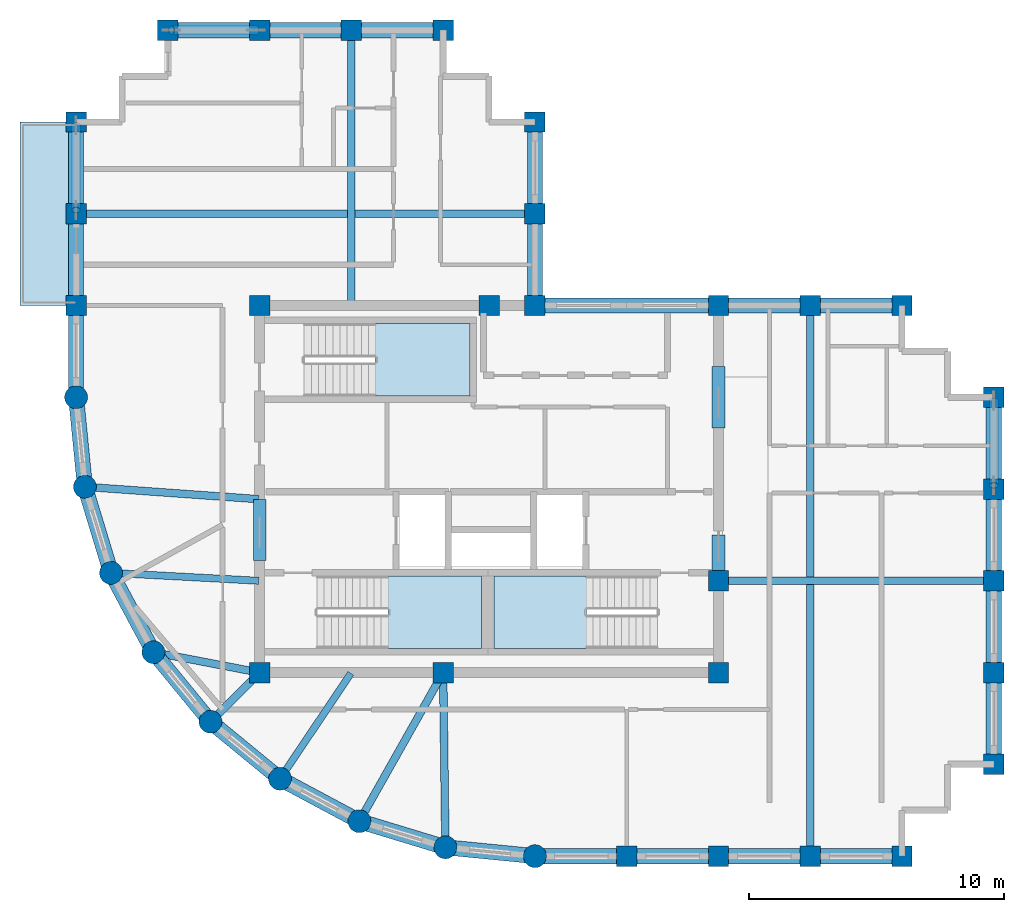
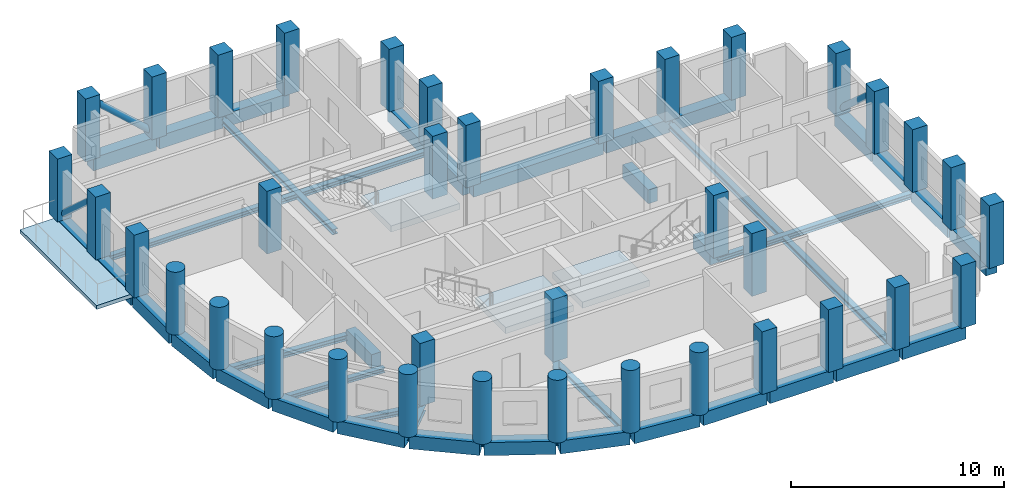
# One storey, part 1 of 6: 41 beams, 37 columns, 4 slabs, 3 members, 3 elements without a shape of their own.
"""IFC4 building model written with IfcOpenShell, lengths in metres."""

from ifc_helpers import new_model, si_unit, direction, frame, origin, origin_2d, place, context, subcontext, project, spatial, polyline, rectangle, circle, hollow_circle, i_section, outline, extrude, material, layer, layer_set, material_profile, profile_set, type_object, element, aggregate, save


model = new_model("IFC4")

# Units and contexts
model_context = context("Model", 3, precision=1e-05, world=origin(), true_north=direction((0.0, 1.0)))
body_context = subcontext(model_context, "Body", "Model", "MODEL_VIEW")
ifc_project = project(units=[si_unit("LENGTHUNIT", "METRE"), si_unit("AREAUNIT", "SQUARE_METRE"), si_unit("VOLUMEUNIT", "CUBIC_METRE"), si_unit("PLANEANGLEUNIT", "RADIAN"), si_unit("MASSUNIT", "GRAM", prefix="KILO")], contexts=[model_context])

# Site, building, storey
site_placement = place(None, origin())
site = spatial("IfcSite", under=ifc_project, at=site_placement, CompositionType="ELEMENT")
building_placement = place(site_placement, origin())
building = spatial("IfcBuilding", under=site, at=building_placement, Name="Solnavia Interchange Tower", CompositionType="ELEMENT")
storey_placement = place(building_placement, frame((0.0, 0.0, 270.199951171875)))
storey = spatial("IfcBuildingStorey", under=building, at=storey_placement, Name="L68", CompositionType="ELEMENT", Elevation=270.199951171875)

# Columns
ifc_material_1 = material(Name="Concrete C50/60", Category="concrete")
ifc_material_profile_1 = material_profile(ifc_material_1, rectangle(XDim=0.800048828125, YDim=0.800048828125, at=origin_2d()), Name="RC 800x800")
ifc_profile_set_1 = profile_set([ifc_material_profile_1], Name="Concrete C50/60")
column_type_1 = type_object("IfcColumnType", Name="Col-RC-800x800", PredefinedType="COLUMN", material=ifc_profile_set_1)
for number, where, z_axis, x_axis, name in (
    (1, (7.199951171875, 25.199951171875, 0.0), (0.0, 0.0, 1.0), (0.0, 1.0, 0.0), "COL-L68-02 Tower perim y column"),
    (2, (7.199951171875, 28.800048828125, 0.0), (0.0, 0.0, 1.0), (0.0, 1.0, 0.0), "COL-L68-03 Tower perim y column"),
    (3, (7.199951171875, 32.39990234375, 0.0), (0.0, 0.0, 1.0), (0.0, 1.0, 0.0), "COL-L68-04 Tower corner column"),
    (4, (10.800048828125, 36.0, 0.0), (0.0, 0.0, 1.0), (1.0, 0.0, 0.0), "COL-L68-08 Tower corner column"),
    (5, (14.39990234375, 10.800048828125, 0.0), (0.0, 0.0, 1.0), (1.0, 0.0, 0.0), "COL-L68-10 Tower interior column"),
    (6, (14.39990234375, 25.199951171875, 0.0), (0.0, 0.0, 1.0), (1.0, 0.0, 0.0), "COL-L68-11 Tower interior column"),
    (7, (14.39990234375, 36.0, 0.0), (0.0, 0.0, 1.0), (1.0, 0.0, 0.0), "COL-L68-12 Tower perim x column"),
    (8, (18.0, 36.0, 0.0), (0.0, 0.0, 1.0), (1.0, 0.0, 0.0), "COL-L68-14 Tower perim x column"),
    (9, (21.60009765625, 10.800048828125, 0.0), (0.0, 0.0, 1.0), (1.0, 0.0, 0.0), "COL-L68-16 Tower interior column"),
    (10, (21.60009765625, 36.0, 0.0), (0.0, 0.0, 1.0), (1.0, 0.0, 0.0), "COL-L68-17 Tower corner column"),
    (11, (23.39990234375, 25.199951171875, 0.0), (0.0, 0.0, 1.0), (1.0, 0.0, 0.0), "COL-L68-19 Tower interior column"),
    (12, (25.199951171875, 25.199951171875, 0.0), (0.0, 0.0, 1.0), (1.0, 0.0, 0.0), "COL-L68-21 Tower interior column"),
    (13, (25.199951171875, 28.800048828125, 0.0), (0.0, 0.0, 1.0), (0.0, 1.0, 0.0), "COL-L68-22 Tower perim y column"),
    (14, (25.199951171875, 32.39990234375, 0.0), (0.0, 0.0, 1.0), (0.0, 1.0, 0.0), "COL-L68-23 Tower corner column"),
    (15, (28.800048828125, 3.60009765625, 0.0), (0.0, 0.0, 1.0), (1.0, 0.0, 0.0), "COL-L68-24 Tower perim x column"),
    (16, (32.39990234375, 3.60009765625, 0.0), (0.0, 0.0, 1.0), (1.0, 0.0, 0.0), "COL-L68-25 Tower perim x column"),
    (17, (32.39990234375, 10.800048828125, 0.0), (0.0, 0.0, 1.0), (1.0, 0.0, 0.0), "COL-L68-26 Tower interior column"),
    (18, (32.39990234375, 14.39990234375, 0.0), (0.0, 0.0, 1.0), (1.0, 0.0, 0.0), "COL-L68-27 Tower interior column"),
    (19, (32.39990234375, 25.199951171875, 0.0), (0.0, 0.0, 1.0), (1.0, 0.0, 0.0), "COL-L68-28 Tower interior column"),
    (20, (36.0, 3.60009765625, 0.0), (0.0, 0.0, 1.0), (1.0, 0.0, 0.0), "COL-L68-29 Tower perim x column"),
    (21, (36.0, 25.199951171875, 0.0), (0.0, 0.0, 1.0), (1.0, 0.0, 0.0), "COL-L68-30 Tower perim x column"),
    (22, (39.60009765625, 3.60009765625, 0.0), (0.0, 0.0, 1.0), (1.0, 0.0, 0.0), "COL-L68-31 Tower corner column"),
    (23, (39.60009765625, 25.199951171875, 0.0), (0.0, 0.0, 1.0), (1.0, 0.0, 0.0), "COL-L68-32 Tower corner column"),
    (24, (43.199951171875, 7.199951171875, 0.0), (0.0, 0.0, 1.0), (1.0, 0.0, 0.0), "COL-L68-33 Tower corner column"),
    (25, (43.199951171875, 10.800048828125, 0.0), (0.0, 0.0, 1.0), (0.0, 1.0, 0.0), "COL-L68-34 Tower perim y column"),
    (26, (43.199951171875, 14.39990234375, 0.0), (0.0, 0.0, 1.0), (0.0, 1.0, 0.0), "COL-L68-35 Tower perim y column"),
    (27, (43.199951171875, 18.0, 0.0), (0.0, 0.0, 1.0), (0.0, 1.0, 0.0), "COL-L68-36 Tower perim y column"),
    (28, (43.199951171875, 21.60009765625, 0.0), (0.0, 0.0, 1.0), (0.0, 1.0, 0.0), "COL-L68-37 Tower corner column"),
):
    element("IfcColumn", number, at=place(storey_placement, frame(where, z_axis=z_axis, x_axis=x_axis)), inside=storey, type_object=column_type_1, Name=name, PredefinedType="COLUMN", context=body_context, shape_type="SweptSolid", body=[
        extrude(rectangle(XDim=0.800048828125, YDim=0.800048828125, at=origin_2d()), origin(), (0.0, 0.0, 1.0), 3.60009765625),
    ])
ifc_material_profile_2 = material_profile(ifc_material_1, circle(Radius=0.449951171875, at=origin_2d()), Name="RC D900")
ifc_profile_set_2 = profile_set([ifc_material_profile_2], Name="Concrete C50/60")
column_type_2 = type_object("IfcColumnType", Name="Col-RC-D900", PredefinedType="COLUMN", material=ifc_profile_set_2)
for number, where, z_axis, x_axis, name in (
    (29, (7.199951171875, 21.60009765625, 0.0), (0.0, 0.0, 1.0), (1.0, 0.0, 0.0), "COL-L68-01 Tower drum column"),
    (30, (7.5458984375, 18.087890625, 0.0), (0.0, 0.0, 1.0), (1.0, 0.0, 0.0), "COL-L68-05 Tower drum column"),
    (31, (8.570068359375, 14.7119140625, 0.0), (0.0, 0.0, 1.0), (1.0, 0.0, 0.0), "COL-L68-06 Tower drum column"),
    (32, (10.23388671875, 11.60009765625, 0.0), (0.0, 0.0, 1.0), (1.0, 0.0, 0.0), "COL-L68-07 Tower drum column"),
    (33, (12.471923828125, 8.8720703125, 0.0), (0.0, 0.0, 1.0), (1.0, 0.0, 0.0), "COL-L68-09 Tower drum column"),
    (34, (15.199951171875, 6.634033203125, 0.0), (0.0, 0.0, 1.0), (1.0, 0.0, 0.0), "COL-L68-13 Tower drum column"),
    (35, (18.31201171875, 4.969970703125, 0.0), (0.0, 0.0, 1.0), (1.0, 0.0, 0.0), "COL-L68-15 Tower drum column"),
    (36, (21.68798828125, 3.946044921875, 0.0), (0.0, 0.0, 1.0), (1.0, 0.0, 0.0), "COL-L68-18 Tower drum column"),
    (37, (25.199951171875, 3.60009765625, 0.0), (0.0, 0.0, 1.0), (1.0, 0.0, 0.0), "COL-L68-20 Tower drum column"),
):
    element("IfcColumn", number, at=place(storey_placement, frame(where, z_axis=z_axis, x_axis=x_axis)), inside=storey, type_object=column_type_2, Name=name, PredefinedType="COLUMN", context=body_context, shape_type="SweptSolid", body=[
        extrude(circle(Radius=0.449951171875, at=origin_2d()), origin(), (0.0, 0.0, 1.0), 3.60009765625),
    ])

# Beams
ifc_material_profile_3 = material_profile(ifc_material_1, rectangle(XDim=0.5, YDim=0.800048828125, at=origin_2d()), Name="RC 500x800")
ifc_profile_set_3 = profile_set([ifc_material_profile_3], Name="Concrete C50/60")
beam_type_1 = type_object("IfcBeamType", Name="Beam-Coupling-RC500x800", PredefinedType="LINTEL", material=ifc_profile_set_3)
beam_1_placement = place(storey_placement, frame((14.39990234375, 15.199951171875, -0.39990234375), z_axis=(0.0, 1.0, 0.0), x_axis=(-1.0, 0.0, 0.0)))
element("IfcBeam", 38, at=beam_1_placement, inside=storey, type_object=beam_type_1, Name="CPB-L68-W1 Core coupling lintel beam", PredefinedType="LINTEL", context=body_context, shape_type="SweptSolid", body=[
    extrude(rectangle(XDim=0.5, YDim=0.800048828125, at=origin_2d()), origin(), (0.0, 0.0, 1.0), 2.400146484375),
])
beam_2_placement = place(storey_placement, frame((32.39990234375, 14.60009765625, -0.39990234375), z_axis=(0.0, 1.0, 0.0), x_axis=(-1.0, 0.0, 0.0)))
element("IfcBeam", 39, at=beam_2_placement, inside=storey, type_object=beam_type_1, Name="CPB-L68-E1 Core coupling lintel beam", PredefinedType="LINTEL", context=body_context, shape_type="SweptSolid", body=[
    extrude(rectangle(XDim=0.5, YDim=0.800048828125, at=origin_2d()), origin(), (0.0, 0.0, 1.0), 1.599853515625),
])
beam_3_placement = place(storey_placement, frame((32.39990234375, 20.39990234375, -0.39990234375), z_axis=(0.0, 1.0, 0.0), x_axis=(-1.0, 0.0, 0.0)))
element("IfcBeam", 40, at=beam_3_placement, inside=storey, type_object=beam_type_1, Name="CPB-L68-E2 Core coupling lintel beam", PredefinedType="LINTEL", context=body_context, shape_type="SweptSolid", body=[
    extrude(rectangle(XDim=0.5, YDim=0.800048828125, at=origin_2d()), origin(), (0.0, 0.0, 1.0), 2.400146484375),
])
ifc_material_2 = material(Name="Steel S460", Category="steel")
ifc_material_profile_4 = material_profile(ifc_material_2, i_section(OverallWidth=0.300048828125, OverallDepth=0.300048828125, WebThickness=0.010986328125, FlangeThickness=0.01904296875, FilletRadius=0.027099609375, at=origin_2d()), Name="HEB 300")
ifc_profile_set_4 = profile_set([ifc_material_profile_4], Name="Steel S460")
beam_type_2 = type_object("IfcBeamType", Name="Beam-Girder-HEB300", PredefinedType="BEAM", material=ifc_profile_set_4)
beam_4_placement = place(storey_placement, frame((32.47998046875, 14.39990234375, -0.39990234375), z_axis=(1.0, 0.0, 0.0), x_axis=(0.0, 1.0, 0.0)))
element("IfcBeam", 41, at=beam_4_placement, inside=storey, type_object=beam_type_2, Name="GRD-L68-ES01 East wing spine girder", PredefinedType="BEAM", context=body_context, shape_type="SweptSolid", body=[
    extrude(i_section(OverallWidth=0.300048828125, OverallDepth=0.300048828125, WebThickness=0.010986328125, FlangeThickness=0.01904296875, FilletRadius=0.027099609375, at=origin_2d()), origin(), (0.0, 0.0, 1.0), 10.64013671875),
])
beam_5_placement = place(storey_placement, frame((18.0, 25.280029296875, -0.39990234375), z_axis=(0.0, 1.0, 0.0), x_axis=(-1.0, 0.0, 0.0)))
element("IfcBeam", 42, at=beam_5_placement, inside=storey, type_object=beam_type_2, Name="GRD-L68-NS03 North wing spine girder", PredefinedType="BEAM", context=body_context, shape_type="SweptSolid", body=[
    extrude(i_section(OverallWidth=0.300048828125, OverallDepth=0.300048828125, WebThickness=0.010986328125, FlangeThickness=0.01904296875, FilletRadius=0.027099609375, at=origin_2d()), origin(), (0.0, 0.0, 1.0), 10.639892578125),
])
beam_6_placement = place(storey_placement, frame((7.280029296875, 28.800048828125, -0.39990234375), z_axis=(1.0, 0.0, 0.0), x_axis=(0.0, 1.0, 0.0)))
element("IfcBeam", 43, at=beam_6_placement, inside=storey, type_object=beam_type_2, Name="GRD-L68-NW04 North wing primary floor girder", PredefinedType="BEAM", context=body_context, shape_type="SweptSolid", body=[
    extrude(i_section(OverallWidth=0.300048828125, OverallDepth=0.300048828125, WebThickness=0.010986328125, FlangeThickness=0.01904296875, FilletRadius=0.027099609375, at=origin_2d()), origin(), (0.0, 0.0, 1.0), 17.840087890625),
])
beam_7_placement = place(storey_placement, frame((10.3125, 11.5849609375, -0.39990234375), z_axis=(0.982057527796, -0.188581579428, 0.0), x_axis=(0.188581579428, 0.982057527796, 0.0)))
element("IfcBeam", 44, at=beam_7_placement, inside=storey, type_object=beam_type_2, Name="GRD-L68-DR07 Drum radial floor girder", PredefinedType="BEAM", context=body_context, shape_type="SweptSolid", body=[
    extrude(i_section(OverallWidth=0.300048828125, OverallDepth=0.300048828125, WebThickness=0.010986328125, FlangeThickness=0.01904296875, FilletRadius=0.027099609375, at=origin_2d()), origin(), (0.0, 0.0, 1.0), 4.1220703125),
])
beam_8_placement = place(storey_placement, frame((18.351318359375, 5.039794921875, -0.39990234375), z_axis=(0.491243158486, 0.871022479182, 0.0), x_axis=(-0.871022479182, 0.491243158486, 0.0)))
element("IfcBeam", 45, at=beam_8_placement, inside=storey, type_object=beam_type_2, Name="GRD-L68-DR10 Drum radial floor girder", PredefinedType="BEAM", context=body_context, shape_type="SweptSolid", body=[
    extrude(i_section(OverallWidth=0.300048828125, OverallDepth=0.300048828125, WebThickness=0.010986328125, FlangeThickness=0.01904296875, FilletRadius=0.027099609375, at=origin_2d()), origin(), (0.0, 0.0, 1.0), 6.5732421875),
])
ifc_material_3 = material(Name="Steel S355", Category="steel")
ifc_material_profile_5 = material_profile(ifc_material_3, i_section(OverallWidth=0.280029296875, OverallDepth=0.27001953125, WebThickness=0.008056640625, FlangeThickness=0.012939453125, FilletRadius=0.02392578125, at=origin_2d()), Name="HEA 280")
ifc_profile_set_5 = profile_set([ifc_material_profile_5], Name="Steel S355")
beam_type_3 = type_object("IfcBeamType", Name="Beam-Primary-HEA280", PredefinedType="BEAM", material=ifc_profile_set_5)
beam_9_placement = place(storey_placement, frame((8.64990234375, 14.707763671875, -0.385009765625), z_axis=(0.998570371303, -0.053452909696, 0.0), x_axis=(0.053452909696, 0.998570371303, 0.0)))
element("IfcBeam", 46, at=beam_9_placement, inside=storey, type_object=beam_type_3, Name="GRD-L68-DR06 Drum radial floor girder", PredefinedType="BEAM", context=body_context, shape_type="SweptSolid", body=[
    extrude(i_section(OverallWidth=0.280029296875, OverallDepth=0.27001953125, WebThickness=0.008056640625, FlangeThickness=0.012939453125, FilletRadius=0.02392578125, at=origin_2d()), origin(), (0.0, 0.0, 1.0), 5.71826171875),
])
beam_10_placement = place(storey_placement, frame((15.24462890625, 6.700439453125, -0.385009765625), z_axis=(0.557835474219, 0.829951555033, 0.0), x_axis=(-0.829951555033, 0.557835474219, 0.0)))
element("IfcBeam", 47, at=beam_10_placement, inside=storey, type_object=beam_type_3, Name="GRD-L68-DR09 Drum radial floor girder", PredefinedType="BEAM", context=body_context, shape_type="SweptSolid", body=[
    extrude(i_section(OverallWidth=0.280029296875, OverallDepth=0.27001953125, WebThickness=0.008056640625, FlangeThickness=0.012939453125, FilletRadius=0.02392578125, at=origin_2d()), origin(), (0.0, 0.0, 1.0), 4.899658203125),
])
ifc_material_profile_6 = material_profile(ifc_material_3, i_section(OverallWidth=0.300048828125, OverallDepth=0.31005859375, WebThickness=0.009033203125, FlangeThickness=0.015380859375, FilletRadius=0.027099609375, at=origin_2d()), Name="HEA 320")
ifc_profile_set_6 = profile_set([ifc_material_profile_6], Name="Steel S355")
beam_type_4 = type_object("IfcBeamType", Name="Beam-Primary-HEA320", PredefinedType="BEAM", material=ifc_profile_set_6)
beam_11_placement = place(storey_placement, frame((36.0, 3.679931640625, -0.405029296875), z_axis=(0.0, 1.0, 0.0), x_axis=(-1.0, 0.0, 0.0)))
element("IfcBeam", 48, at=beam_11_placement, inside=storey, type_object=beam_type_4, Name="GRD-L68-EW02 East wing primary floor girder", PredefinedType="BEAM", context=body_context, shape_type="SweptSolid", body=[
    extrude(i_section(OverallWidth=0.300048828125, OverallDepth=0.31005859375, WebThickness=0.009033203125, FlangeThickness=0.015380859375, FilletRadius=0.027099609375, at=origin_2d()), origin(), (0.0, 0.0, 1.0), 21.440185546875),
])
beam_12_placement = place(storey_placement, frame((7.625732421875, 18.082275390625, -0.405029296875), z_axis=(0.99747482749, -0.071020902015, 0.0), x_axis=(0.071020902015, 0.99747482749, 0.0)))
element("IfcBeam", 49, at=beam_12_placement, inside=storey, type_object=beam_type_4, Name="GRD-L68-DR05 Drum radial floor girder", PredefinedType="BEAM", context=body_context, shape_type="SweptSolid", body=[
    extrude(i_section(OverallWidth=0.300048828125, OverallDepth=0.31005859375, WebThickness=0.009033203125, FlangeThickness=0.015380859375, FilletRadius=0.027099609375, at=origin_2d()), origin(), (0.0, 0.0, 1.0), 6.75146484375),
])
beam_13_placement = place(storey_placement, frame((12.528564453125, 8.9287109375, -0.405029296875), z_axis=(0.707106781187, 0.707106781187, 0.0), x_axis=(-0.707106781187, 0.707106781187, 0.0)))
element("IfcBeam", 50, at=beam_13_placement, inside=storey, type_object=beam_type_4, Name="GRD-L68-DR08 Drum radial floor girder", PredefinedType="BEAM", context=body_context, shape_type="SweptSolid", body=[
    extrude(i_section(OverallWidth=0.300048828125, OverallDepth=0.31005859375, WebThickness=0.009033203125, FlangeThickness=0.015380859375, FilletRadius=0.027099609375, at=origin_2d()), origin(), (0.0, 0.0, 1.0), 2.6064453125),
])
beam_14_placement = place(storey_placement, frame((21.68701171875, 4.02587890625, -0.405029296875), z_axis=(-0.01283293513, 0.999917654498, 0.0), x_axis=(-0.999917654498, -0.01283293513, 0.0)))
element("IfcBeam", 51, at=beam_14_placement, inside=storey, type_object=beam_type_4, Name="GRD-L68-DR11 Drum radial floor girder", PredefinedType="BEAM", context=body_context, shape_type="SweptSolid", body=[
    extrude(i_section(OverallWidth=0.300048828125, OverallDepth=0.31005859375, WebThickness=0.009033203125, FlangeThickness=0.015380859375, FilletRadius=0.027099609375, at=origin_2d()), origin(), (0.0, 0.0, 1.0), 6.734619140625),
])
ifc_material_profile_7 = material_profile(ifc_material_1, rectangle(XDim=0.60009765625, YDim=0.75, at=origin_2d()), Name="RC 600x750")
ifc_profile_set_7 = profile_set([ifc_material_profile_7], Name="Concrete C50/60")
beam_type_5 = type_object("IfcBeamType", Name="Beam-Spandrel-RC600x750", PredefinedType="SPANDREL", material=ifc_profile_set_7)
beam_15_placement = place(storey_placement, frame((7.207763671875, 21.5205078125, -0.375), z_axis=(0.098040038117, -0.995182471171, 0.0), x_axis=(0.995182471171, 0.098040038117, 0.0)))
element("IfcBeam", 52, at=beam_15_placement, inside=storey, type_object=beam_type_5, Name="SPB-L68-01 Framed-tube perimeter spandrel beam", PredefinedType="SPANDREL", context=body_context, shape_type="SweptSolid", body=[
    extrude(rectangle(XDim=0.60009765625, YDim=0.75, at=origin_2d()), origin(), (0.0, 0.0, 1.0), 3.369140625),
])
beam_16_placement = place(storey_placement, frame((7.569091796875, 18.011474609375, -0.375), z_axis=(0.290319223646, -0.956929855518, 0.0), x_axis=(0.956929855518, 0.290319223646, 0.0)))
element("IfcBeam", 53, at=beam_16_placement, inside=storey, type_object=beam_type_5, Name="SPB-L68-02 Framed-tube perimeter spandrel beam", PredefinedType="SPANDREL", context=body_context, shape_type="SweptSolid", body=[
    extrude(rectangle(XDim=0.60009765625, YDim=0.75, at=origin_2d()), origin(), (0.0, 0.0, 1.0), 3.367919921875),
])
beam_17_placement = place(storey_placement, frame((8.607666015625, 14.6416015625, -0.375), z_axis=(0.471509422952, -0.881861023102, 0.0), x_axis=(0.881861023102, 0.471509422952, 0.0)))
element("IfcBeam", 54, at=beam_17_placement, inside=storey, type_object=beam_type_5, Name="SPB-L68-03 Framed-tube perimeter spandrel beam", PredefinedType="SPANDREL", context=body_context, shape_type="SweptSolid", body=[
    extrude(rectangle(XDim=0.60009765625, YDim=0.75, at=origin_2d()), origin(), (0.0, 0.0, 1.0), 3.369140625),
])
for number, where, z_axis, x_axis, name in (
    (55, (10.28466796875, 11.5380859375, -0.375), (0.634298841675, -0.773087950656, 0.0), (0.773087950656, 0.634298841675, 0.0), "SPB-L68-04 Framed-tube perimeter spandrel beam"),
    (56, (12.53369140625, 8.8212890625, -0.375), (0.773152644452, -0.634219984214, 0.0), (0.634219984214, 0.773152644452, 0.0), "SPB-L68-05 Framed-tube perimeter spandrel beam"),
):
    element("IfcBeam", number, at=place(storey_placement, frame(where, z_axis=z_axis, x_axis=x_axis)), inside=storey, type_object=beam_type_5, Name=name, PredefinedType="SPANDREL", context=body_context, shape_type="SweptSolid", body=[
        extrude(rectangle(XDim=0.60009765625, YDim=0.75, at=origin_2d()), origin(), (0.0, 0.0, 1.0), 3.36865234375),
    ])
beam_18_placement = place(storey_placement, frame((15.2705078125, 6.59619140625, -0.375), z_axis=(0.881875044348, -0.47148319817, 0.0), x_axis=(0.47148319817, 0.881875044348, 0.0)))
element("IfcBeam", 57, at=beam_18_placement, inside=storey, type_object=beam_type_5, Name="SPB-L68-06 Framed-tube perimeter spandrel beam", PredefinedType="SPANDREL", context=body_context, shape_type="SweptSolid", body=[
    extrude(rectangle(XDim=0.60009765625, YDim=0.75, at=origin_2d()), origin(), (0.0, 0.0, 1.0), 3.368896484375),
])
beam_19_placement = place(storey_placement, frame((18.388671875, 4.94677734375, -0.375), z_axis=(0.956943884494, -0.290272978297, 0.0), x_axis=(0.290272978297, 0.956943884494, 0.0)))
element("IfcBeam", 58, at=beam_19_placement, inside=storey, type_object=beam_type_5, Name="SPB-L68-07 Framed-tube perimeter spandrel beam", PredefinedType="SPANDREL", context=body_context, shape_type="SweptSolid", body=[
    extrude(rectangle(XDim=0.60009765625, YDim=0.75, at=origin_2d()), origin(), (0.0, 0.0, 1.0), 3.36767578125),
])
beam_20_placement = place(storey_placement, frame((21.767578125, 3.938232421875, -0.375), z_axis=(0.995181774609, -0.098047108501, 0.0), x_axis=(0.098047108501, 0.995181774609, 0.0)))
element("IfcBeam", 59, at=beam_20_placement, inside=storey, type_object=beam_type_5, Name="SPB-L68-08 Framed-tube perimeter spandrel beam", PredefinedType="SPANDREL", context=body_context, shape_type="SweptSolid", body=[
    extrude(rectangle(XDim=0.60009765625, YDim=0.75, at=origin_2d()), origin(), (0.0, 0.0, 1.0), 3.368896484375),
])
beam_21_placement = place(storey_placement, frame((25.280029296875, 3.60009765625, -0.375), z_axis=(1.0, 0.0, 0.0), x_axis=(0.0, 1.0, 0.0)))
element("IfcBeam", 60, at=beam_21_placement, inside=storey, type_object=beam_type_5, Name="SPB-L68-09 Framed-tube perimeter spandrel beam", PredefinedType="SPANDREL", context=body_context, shape_type="SweptSolid", body=[
    extrude(rectangle(XDim=0.60009765625, YDim=0.75, at=origin_2d()), origin(), (0.0, 0.0, 1.0), 3.43994140625),
])
beam_22_placement = place(storey_placement, frame((28.8798828125, 3.60009765625, -0.375), z_axis=(1.0, 0.0, 0.0), x_axis=(0.0, 1.0, 0.0)))
element("IfcBeam", 61, at=beam_22_placement, inside=storey, type_object=beam_type_5, Name="SPB-L68-10 Framed-tube perimeter spandrel beam", PredefinedType="SPANDREL", context=body_context, shape_type="SweptSolid", body=[
    extrude(rectangle(XDim=0.60009765625, YDim=0.75, at=origin_2d()), origin(), (0.0, 0.0, 1.0), 3.440185546875),
])
for number, where, z_axis, x_axis, name in (
    (62, (32.47998046875, 3.60009765625, -0.375), (1.0, 0.0, 0.0), (0.0, 1.0, 0.0), "SPB-L68-11 Framed-tube perimeter spandrel beam"),
    (63, (36.080078125, 3.60009765625, -0.375), (1.0, 0.0, 0.0), (0.0, 1.0, 0.0), "SPB-L68-12 Framed-tube perimeter spandrel beam"),
    (64, (43.199951171875, 7.280029296875, -0.375), (0.0, 1.0, 0.0), (-1.0, 0.0, 0.0), "SPB-L68-13 Framed-tube perimeter spandrel beam"),
):
    element("IfcBeam", number, at=place(storey_placement, frame(where, z_axis=z_axis, x_axis=x_axis)), inside=storey, type_object=beam_type_5, Name=name, PredefinedType="SPANDREL", context=body_context, shape_type="SweptSolid", body=[
        extrude(rectangle(XDim=0.60009765625, YDim=0.75, at=origin_2d()), origin(), (0.0, 0.0, 1.0), 3.43994140625),
    ])
beam_23_placement = place(storey_placement, frame((43.199951171875, 10.8798828125, -0.375), z_axis=(0.0, 1.0, 0.0), x_axis=(-1.0, 0.0, 0.0)))
element("IfcBeam", 65, at=beam_23_placement, inside=storey, type_object=beam_type_5, Name="SPB-L68-14 Framed-tube perimeter spandrel beam", PredefinedType="SPANDREL", context=body_context, shape_type="SweptSolid", body=[
    extrude(rectangle(XDim=0.60009765625, YDim=0.75, at=origin_2d()), origin(), (0.0, 0.0, 1.0), 3.440185546875),
])
for number, where, z_axis, x_axis, name in (
    (66, (43.199951171875, 14.47998046875, -0.375), (0.0, 1.0, 0.0), (-1.0, 0.0, 0.0), "SPB-L68-15 Framed-tube perimeter spandrel beam"),
    (67, (43.199951171875, 18.080078125, -0.375), (0.0, 1.0, 0.0), (-1.0, 0.0, 0.0), "SPB-L68-16 Framed-tube perimeter spandrel beam"),
    (68, (39.52001953125, 25.199951171875, -0.375), (-1.0, 0.0, 0.0), (0.0, -1.0, 0.0), "SPB-L68-17 Framed-tube perimeter spandrel beam"),
    (69, (35.919921875, 25.199951171875, -0.375), (-1.0, 0.0, 0.0), (0.0, -1.0, 0.0), "SPB-L68-18 Framed-tube perimeter spandrel beam"),
):
    element("IfcBeam", number, at=place(storey_placement, frame(where, z_axis=z_axis, x_axis=x_axis)), inside=storey, type_object=beam_type_5, Name=name, PredefinedType="SPANDREL", context=body_context, shape_type="SweptSolid", body=[
        extrude(rectangle(XDim=0.60009765625, YDim=0.75, at=origin_2d()), origin(), (0.0, 0.0, 1.0), 3.43994140625),
    ])
beam_24_placement = place(storey_placement, frame((32.320068359375, 25.199951171875, -0.375), z_axis=(-1.0, 0.0, 0.0), x_axis=(0.0, -1.0, 0.0)))
element("IfcBeam", 70, at=beam_24_placement, inside=storey, type_object=beam_type_5, Name="SPB-L68-19 Framed-tube perimeter spandrel beam", PredefinedType="SPANDREL", context=body_context, shape_type="SweptSolid", body=[
    extrude(rectangle(XDim=0.60009765625, YDim=0.75, at=origin_2d()), origin(), (0.0, 0.0, 1.0), 7.0400390625),
])
beam_25_placement = place(storey_placement, frame((25.199951171875, 25.280029296875, -0.375), z_axis=(0.0, 1.0, 0.0), x_axis=(-1.0, 0.0, 0.0)))
element("IfcBeam", 71, at=beam_25_placement, inside=storey, type_object=beam_type_5, Name="SPB-L68-20 Framed-tube perimeter spandrel beam", PredefinedType="SPANDREL", context=body_context, shape_type="SweptSolid", body=[
    extrude(rectangle(XDim=0.60009765625, YDim=0.75, at=origin_2d()), origin(), (0.0, 0.0, 1.0), 3.43994140625),
])
beam_26_placement = place(storey_placement, frame((25.199951171875, 28.8798828125, -0.375), z_axis=(0.0, 1.0, 0.0), x_axis=(-1.0, 0.0, 0.0)))
element("IfcBeam", 72, at=beam_26_placement, inside=storey, type_object=beam_type_5, Name="SPB-L68-21 Framed-tube perimeter spandrel beam", PredefinedType="SPANDREL", context=body_context, shape_type="SweptSolid", body=[
    extrude(rectangle(XDim=0.60009765625, YDim=0.75, at=origin_2d()), origin(), (0.0, 0.0, 1.0), 3.440185546875),
])
for number, where, z_axis, x_axis, name in (
    (73, (21.52001953125, 36.0, -0.375), (-1.0, 0.0, 0.0), (0.0, -1.0, 0.0), "SPB-L68-22 Framed-tube perimeter spandrel beam"),
    (74, (17.919921875, 36.0, -0.375), (-1.0, 0.0, 0.0), (0.0, -1.0, 0.0), "SPB-L68-23 Framed-tube perimeter spandrel beam"),
):
    element("IfcBeam", number, at=place(storey_placement, frame(where, z_axis=z_axis, x_axis=x_axis)), inside=storey, type_object=beam_type_5, Name=name, PredefinedType="SPANDREL", context=body_context, shape_type="SweptSolid", body=[
        extrude(rectangle(XDim=0.60009765625, YDim=0.75, at=origin_2d()), origin(), (0.0, 0.0, 1.0), 3.43994140625),
    ])
for number, where, z_axis, x_axis, name in (
    (75, (14.320068359375, 36.0, -0.375), (-1.0, 0.0, 0.0), (0.0, -1.0, 0.0), "SPB-L68-24 Framed-tube perimeter spandrel beam"),
    (76, (7.199951171875, 32.320068359375, -0.375), (0.0, -1.0, 0.0), (1.0, 0.0, 0.0), "SPB-L68-25 Framed-tube perimeter spandrel beam"),
):
    element("IfcBeam", number, at=place(storey_placement, frame(where, z_axis=z_axis, x_axis=x_axis)), inside=storey, type_object=beam_type_5, Name=name, PredefinedType="SPANDREL", context=body_context, shape_type="SweptSolid", body=[
        extrude(rectangle(XDim=0.60009765625, YDim=0.75, at=origin_2d()), origin(), (0.0, 0.0, 1.0), 3.440185546875),
    ])
beam_27_placement = place(storey_placement, frame((7.199951171875, 28.719970703125, -0.375), z_axis=(0.0, -1.0, 0.0), x_axis=(1.0, 0.0, 0.0)))
element("IfcBeam", 77, at=beam_27_placement, inside=storey, type_object=beam_type_5, Name="SPB-L68-26 Framed-tube perimeter spandrel beam", PredefinedType="SPANDREL", context=body_context, shape_type="SweptSolid", body=[
    extrude(rectangle(XDim=0.60009765625, YDim=0.75, at=origin_2d()), origin(), (0.0, 0.0, 1.0), 3.43994140625),
])
beam_28_placement = place(storey_placement, frame((7.199951171875, 25.1201171875, -0.375), z_axis=(0.0, -1.0, 0.0), x_axis=(1.0, 0.0, 0.0)))
element("IfcBeam", 78, at=beam_28_placement, inside=storey, type_object=beam_type_5, Name="SPB-L68-27 Framed-tube perimeter spandrel beam", PredefinedType="SPANDREL", context=body_context, shape_type="SweptSolid", body=[
    extrude(rectangle(XDim=0.60009765625, YDim=0.75, at=origin_2d()), origin(), (0.0, 0.0, 1.0), 3.440185546875),
])

# Members
ifc_material_profile_8 = material_profile(ifc_material_2, hollow_circle(Radius=0.177734375, WallThickness=0.01611328125, at=origin_2d()), Name="CHS 355.6x16")
ifc_profile_set_8 = profile_set([ifc_material_profile_8], Name="Steel S460")
member_type = type_object("IfcMemberType", Name="Brace-Perim-CHS355", PredefinedType="BRACE", material=ifc_profile_set_8)
for number, where, z_axis, x_axis, name in (
    (79, (7.199951171875, 32.260009765625, 0.179931640625), (0.0, -0.743052292095, 0.669233360804), (1.0, 0.0, 0.0), "BRC-L68-01 Perimeter tube diagonal brace"),
    (80, (43.199951171875, 21.4599609375, 0.179931640625), (0.0, -0.743052292095, 0.669233360804), (1.0, 0.0, 0.0), "BRC-L68-02 Perimeter tube diagonal brace"),
    (81, (14.260009765625, 36.0, 0.179931640625), (-0.743052292095, 0.0, 0.669233360804), (0.0, -1.0, 0.0), "BRC-L68-03 Perimeter tube diagonal brace"),
):
    element("IfcMember", number, at=place(storey_placement, frame(where, z_axis=z_axis, x_axis=x_axis)), inside=storey, type_object=member_type, Name=name, PredefinedType="BRACE", context=body_context, shape_type="SweptSolid", body=[
        extrude(hollow_circle(Radius=0.177734375, WallThickness=0.01611328125, at=origin_2d()), origin(), (0.0, 0.0, 1.0), 4.46826171875),
    ])

# Stair, slab
ifc_material_4 = material(Name="Concrete C40/50", Category="concrete")
stair_type = type_object("IfcStairType", Name="Stair-Dogleg-RC", PredefinedType="HALF_TURN_STAIR", material=ifc_material_4)
stair_1_placement = place(storey_placement, origin())
stair_1 = element("IfcStair", 82, at=stair_1_placement, inside=storey, type_object=stair_type, Name="L68 Core exit stair 1", PredefinedType="HALF_TURN_STAIR")
ifc_layer_1 = layer(ifc_material_4, 0.35009765625)
ifc_layer_set_1 = layer_set([ifc_layer_1], Name="Concrete C40/50")
slab_type_1 = type_object("IfcSlabType", Name="Slab-StairLanding-350", PredefinedType="LANDING", material=ifc_layer_set_1)
slab_1_placement = place(storey_placement, frame((0.0, 0.0, 1.449951171875)))
slab_1 = element("IfcSlab", 83, at=slab_1_placement, type_object=slab_type_1, Name="ST-1 landing 1", PredefinedType="LANDING", context=body_context, shape_type="SweptSolid", body=[
    extrude(outline(polyline([(19.427978515625, 11.75), (23.10009765625, 11.75), (23.10009765625, 14.590087890625), (19.427978515625, 14.590087890625), (19.427978515625, 11.75)])), origin(), (0.0, 0.0, 1.0), 0.35009765625),
])
aggregate(stair_1, [slab_1])

stair_2_placement = place(storey_placement, origin())
stair_2 = element("IfcStair", 84, at=stair_2_placement, inside=storey, type_object=stair_type, Name="L68 Core exit stair 2", PredefinedType="HALF_TURN_STAIR")
slab_2_placement = place(storey_placement, frame((0.0, 0.0, 1.449951171875)))
slab_2 = element("IfcSlab", 85, at=slab_2_placement, type_object=slab_type_1, Name="ST-2 landing 1", PredefinedType="LANDING", context=body_context, shape_type="SweptSolid", body=[
    extrude(outline(polyline([(23.60009765625, 11.75), (27.221923828125, 11.75), (27.221923828125, 14.590087890625), (23.60009765625, 14.590087890625), (23.60009765625, 11.75)])), origin(), (0.0, 0.0, 1.0), 0.35009765625),
])
aggregate(stair_2, [slab_2])

stair_3_placement = place(storey_placement, origin())
stair_3 = element("IfcStair", 86, at=stair_3_placement, inside=storey, type_object=stair_type, Name="L68 Core exit stair 3", PredefinedType="HALF_TURN_STAIR")
slab_3_placement = place(storey_placement, frame((0.0, 0.0, 1.449951171875)))
slab_3 = element("IfcSlab", 87, at=slab_3_placement, type_object=slab_type_1, Name="ST-3 landing 1", PredefinedType="LANDING", context=body_context, shape_type="SweptSolid", body=[
    extrude(outline(polyline([(18.927978515625, 21.64990234375), (22.64990234375, 21.64990234375), (22.64990234375, 24.489990234375), (18.927978515625, 24.489990234375), (18.927978515625, 21.64990234375)])), origin(), (0.0, 0.0, 1.0), 0.35009765625),
])
aggregate(stair_3, [slab_3])

# Slab
ifc_layer_2 = layer(ifc_material_4, 0.219970703125)
ifc_layer_set_2 = layer_set([ifc_layer_2], Name="Concrete C40/50")
slab_type_2 = type_object("IfcSlabType", Name="Slab-Terrace-220", PredefinedType="FLOOR", material=ifc_layer_set_2)
slab_4_placement = place(storey_placement, frame((0.0, 0.0, -0.260009765625)))
element("IfcSlab", 88, at=slab_4_placement, inside=storey, type_object=slab_type_2, Name="TER-L68-01 Outdoor spiral terrace slab", PredefinedType="FLOOR", context=body_context, shape_type="SweptSolid", body=[
    extrude(outline(polyline([(5.0, 25.199951171875), (7.199951171875, 25.199951171875), (7.199951171875, 32.39990234375), (5.0, 32.39990234375), (5.0, 25.199951171875)])), origin(), (0.0, 0.0, 1.0), 0.219970703125),
])

save(model, "model.ifc")
